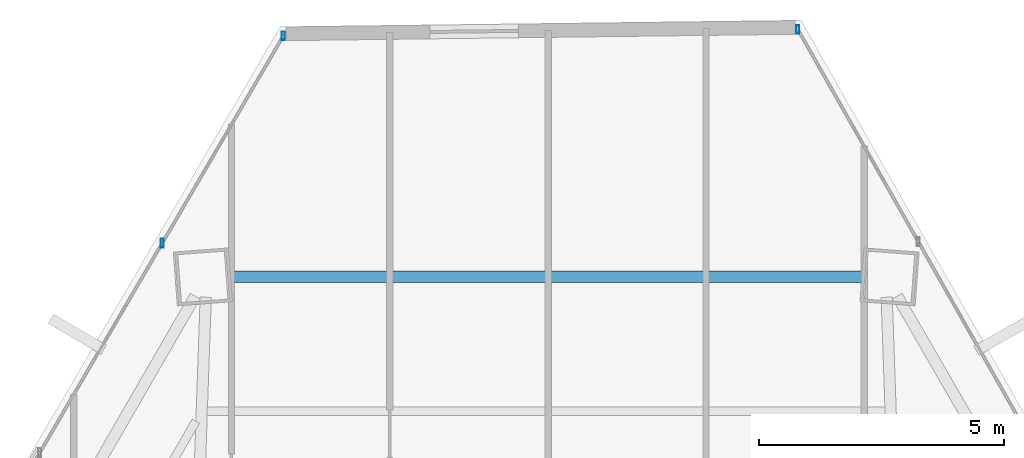
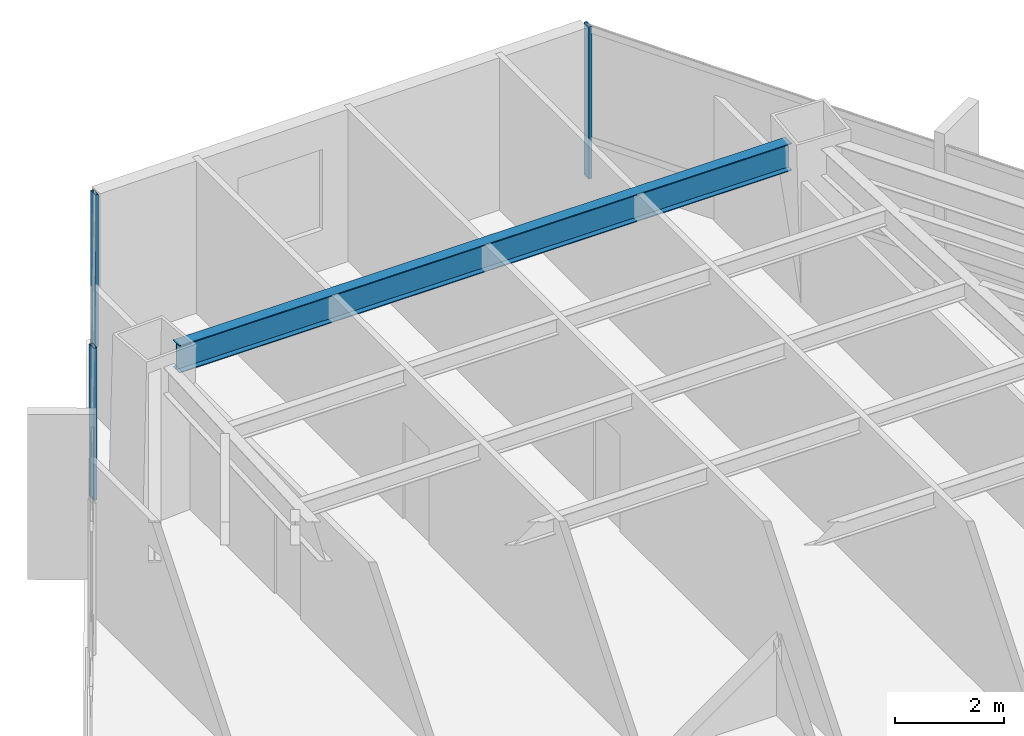
# One storey, part 25 of 35: 3 members, 1 beam, 2 elements without a shape of their own.
"""IFC4 building model written with IfcOpenShell, lengths in metres."""

from ifc_helpers import new_model, si_unit, direction, frame, origin, origin_2d, place, context, subcontext, project, spatial, hollow_rectangle, i_section, extrude, source, transform, mapped, material, material_profile, profile_set, type_object, type_shapes, element, aggregate, save


model = new_model("IFC4")

# Units and contexts
model_context = context("Model", 3, precision=1e-05, world=origin(), true_north=direction((0.0, 1.0)))
body_context = subcontext(model_context, "Body", "Model", "MODEL_VIEW")
ifc_project = project(units=[si_unit("LENGTHUNIT", "METRE"), si_unit("AREAUNIT", "SQUARE_METRE"), si_unit("VOLUMEUNIT", "CUBIC_METRE"), si_unit("PLANEANGLEUNIT", "RADIAN"), si_unit("MASSUNIT", "GRAM", prefix="KILO")], contexts=[model_context])

# Site, building, storey
site_placement = place(None, origin())
site = spatial("IfcSite", under=ifc_project, at=site_placement, CompositionType="ELEMENT")
building_placement = place(site_placement, origin())
building = spatial("IfcBuilding", under=site, at=building_placement, Name="Caelisora Broadcast Tower", CompositionType="ELEMENT")
storey_placement = place(building_placement, frame((0.0, 0.0, 123.64990234375)))
storey = spatial("IfcBuildingStorey", under=building, at=storey_placement, Name="L32", CompositionType="ELEMENT", Elevation=123.64990234375)

# Beam
ifc_material_1 = material(Name="Steel Grade 350 (AS/NZS 3679.1)", Category="steel")
ifc_material_profile_1 = material_profile(ifc_material_1, i_section(OverallWidth=0.22900390625, OverallDepth=0.611572265625, WebThickness=0.011962890625, FlangeThickness=0.01953125, at=origin_2d()), Name="Steel Grade 350 (AS/NZS 3679.1)")
ifc_profile_set_1 = profile_set([ifc_material_profile_1], Name="Steel Grade 350 (AS/NZS 3679.1)")
beam_type = type_object("IfcBeamType", Name="PG03", PredefinedType="BEAM", material=ifc_profile_set_1)
shared_shape_1 = source(origin(), body_context, "Body", "SweptSolid", [
    extrude(i_section(OverallWidth=0.22900390625, OverallDepth=0.611572265625, WebThickness=0.011962890625, FlangeThickness=0.01953125, at=origin_2d()), origin(), (0.0, 0.0, 1.0), 12.93994140625),
])
type_shapes(beam_type, [shared_shape_1])
beam_placement = place(storey_placement, frame((44.469970703125, 46.447509765625, 3.09423828125), z_axis=(-1.0, 0.0, 0.0), x_axis=(0.0, -1.0, 0.0)))
element("IfcBeam", 1, at=beam_placement, inside=storey, type_object=beam_type, Name="L32 beam PG03", PredefinedType="BEAM", context=body_context, shape_type="MappedRepresentation", body=[
    mapped(shared_shape_1, transform((0.0, 0.0, 0.0), scale=1.0)),
])

# Curtain wall, member
ifc_material_2 = material(Name="Unitised Aluminium and Low-E Glass Curtain Wall", Category="glass")
curtain_wall_type = type_object("IfcCurtainWallType", Name="CW-Z2", PredefinedType="NOTDEFINED", material=ifc_material_2)
curtain_wall_1_placement = place(storey_placement, origin())
curtain_wall_1 = element("IfcCurtainWall", 2, at=curtain_wall_1_placement, inside=storey, type_object=curtain_wall_type, Name="L32 curtain wall CW-Z2", PredefinedType="NOTDEFINED")
ifc_material_3 = material(Name="Aluminium 6063-T6 Anodised Terracotta Bronze", Category="aluminium")
ifc_material_profile_2 = material_profile(ifc_material_3, hollow_rectangle(XDim=0.06494140625, YDim=0.179931640625, WallThickness=0.00341796875, at=origin_2d()), Name="Aluminium 6063-T6 Anodised Terracotta Bronze")
ifc_profile_set_2 = profile_set([ifc_material_profile_2], Name="Aluminium 6063-T6 Anodised Terracotta Bronze")
member_type = type_object("IfcMemberType", Name="CWM-02", PredefinedType="MULLION", material=ifc_profile_set_2)
shared_shape_2 = source(origin(), body_context, "Body", "SweptSolid", [
    extrude(hollow_rectangle(XDim=0.06494140625, YDim=0.179931640625, WallThickness=0.00341796875, at=origin_2d()), origin(), (0.0, 0.0, 1.0), 3.400146484375),
])
type_shapes(member_type, [shared_shape_2])
member_1_placement = place(storey_placement, frame((43.1328125, 51.487548828125, 0.0), z_axis=(0.0, 0.0, 1.0), x_axis=(1.0, 0.0, 0.0)))
member_1 = element("IfcMember", 3, at=member_1_placement, type_object=member_type, Name="L32-CW-B01 mullion #0", PredefinedType="MULLION", context=body_context, shape_type="MappedRepresentation", body=[
    mapped(shared_shape_2, transform((0.0, 0.0, 0.0), scale=1.0)),
])
aggregate(curtain_wall_1, [member_1])

# Curtain wall, members
curtain_wall_2_placement = place(storey_placement, origin())
curtain_wall_2 = element("IfcCurtainWall", 4, at=curtain_wall_2_placement, inside=storey, type_object=curtain_wall_type, Name="L32 curtain wall CW-Z2", PredefinedType="NOTDEFINED")
member_2_placement = place(storey_placement, frame((30.1669921875, 47.128662109375, 0.0), z_axis=(0.0, 0.0, 1.0), x_axis=(1.0, 0.0, 0.0)))
member_2 = element("IfcMember", 5, at=member_2_placement, type_object=member_type, Name="L32-CW-B11 mullion #2", PredefinedType="MULLION", context=body_context, shape_type="MappedRepresentation", body=[
    mapped(shared_shape_2, transform((0.0, 0.0, 0.0), scale=1.0)),
])
member_3_placement = place(storey_placement, frame((32.6376953125, 51.356689453125, 0.0), z_axis=(0.0, 0.0, 1.0), x_axis=(1.0, 0.0, 0.0)))
member_3 = element("IfcMember", 6, at=member_3_placement, type_object=member_type, Name="L32-CW-B11 mullion #3", PredefinedType="MULLION", context=body_context, shape_type="MappedRepresentation", body=[
    mapped(shared_shape_2, transform((0.0, 0.0, 0.0), scale=1.0)),
])
aggregate(curtain_wall_2, [member_2, member_3])

save(model, "model.ifc")
